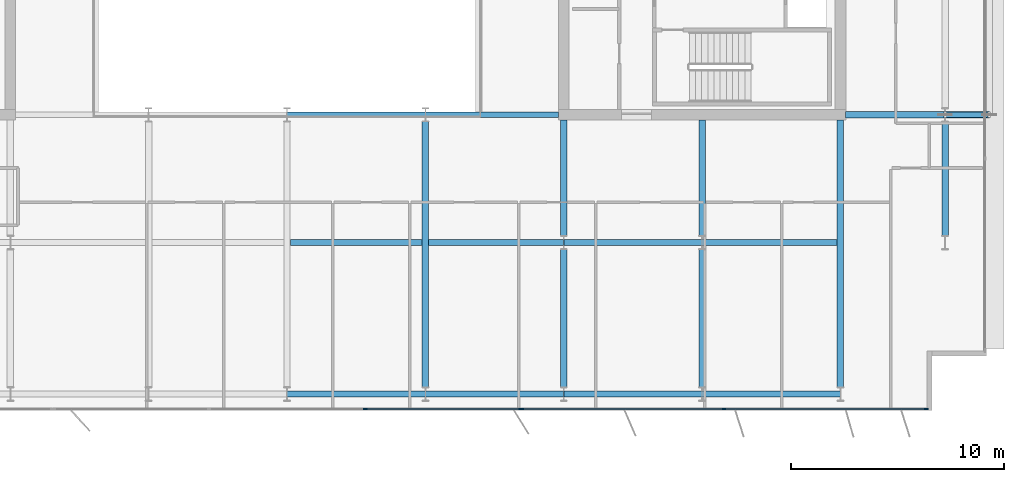
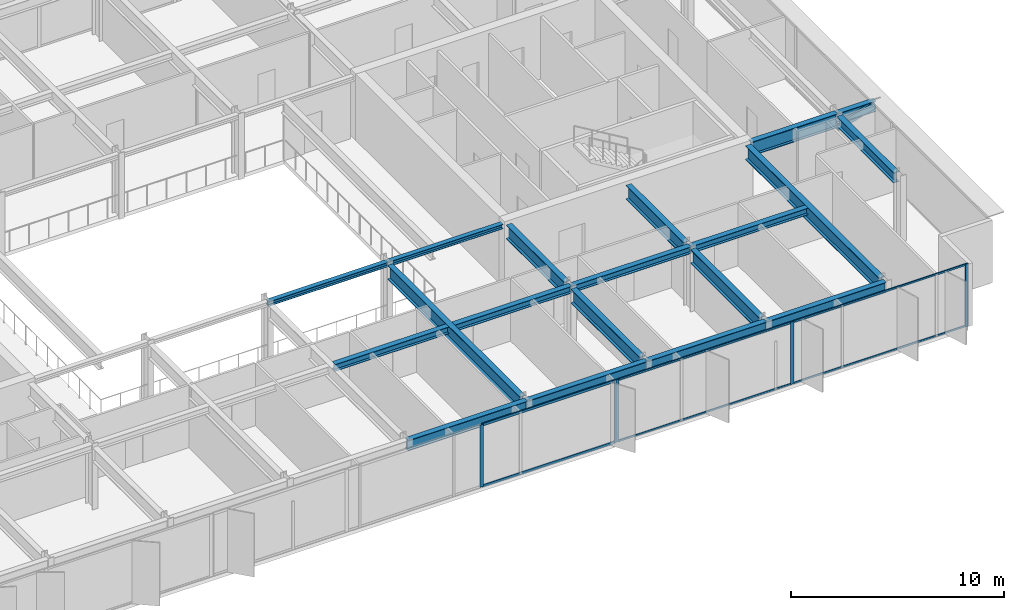
# One storey, part 6 of 20: 19 beams, 12 members, 2 elements without a shape of their own.
"""IFC4 building model written with IfcOpenShell, lengths in metres."""

from ifc_helpers import new_model, si_unit, direction, frame, origin, origin_2d, place, context, subcontext, project, spatial, rectangle, hollow_rectangle, i_section, extrude, material, layer, layer_set, material_profile, profile_set, type_object, element, aggregate, save


model = new_model("IFC4")

# Units and contexts
model_context = context("Model", 3, precision=1e-05, world=origin(), true_north=direction((0.0, 1.0)))
body_context = subcontext(model_context, "Body", "Model", "MODEL_VIEW")
ifc_project = project(units=[si_unit("LENGTHUNIT", "METRE"), si_unit("AREAUNIT", "SQUARE_METRE"), si_unit("VOLUMEUNIT", "CUBIC_METRE"), si_unit("PLANEANGLEUNIT", "RADIAN"), si_unit("MASSUNIT", "GRAM", prefix="KILO")], contexts=[model_context])

# Site, building, storey
site_placement = place(None, origin())
site = spatial("IfcSite", under=ifc_project, at=site_placement, CompositionType="ELEMENT")
building_placement = place(site_placement, origin())
building = spatial("IfcBuilding", under=site, at=building_placement, Name="Putna Gate Headquarters", CompositionType="ELEMENT")
storey_placement = place(building_placement, frame((0.0, 0.0, 274.60009765625)))
storey = spatial("IfcBuildingStorey", under=building, at=storey_placement, Name="L69", CompositionType="ELEMENT", Elevation=274.60009765625)

# Beams
ifc_material_1 = material(Name="Steel S355J2", Category="steel")
ifc_material_profile_1 = material_profile(ifc_material_1, i_section(OverallWidth=0.260009765625, OverallDepth=0.260009765625, WebThickness=0.010009765625, FlangeThickness=0.017578125, at=origin_2d()), Name="Steel S355J2")
ifc_profile_set_1 = profile_set([ifc_material_profile_1], Name="Steel S355J2")
beam_type_1 = type_object("IfcBeamType", Name="BM-ATRIUM-HEB260", PredefinedType="BEAM", material=ifc_profile_set_1)
beam_1_placement = place(storey_placement, frame((39.006103515625, 19.0, 3.4580078125), z_axis=(1.0, 0.0, 0.0), x_axis=(0.0, 1.0, 0.0)))
element("IfcBeam", 1, at=beam_1_placement, inside=storey, type_object=beam_type_1, Name="L69 Atrium Edge Beam AS3", PredefinedType="BEAM", context=body_context, shape_type="SweptSolid", body=[
    extrude(i_section(OverallWidth=0.260009765625, OverallDepth=0.260009765625, WebThickness=0.010009765625, FlangeThickness=0.017578125, at=origin_2d()), origin(), (0.0, 0.0, 1.0), 6.48779296875),
])
beam_2_placement = place(storey_placement, frame((45.506103515625, 19.0, 3.4580078125), z_axis=(1.0, 0.0, 0.0), x_axis=(0.0, 1.0, 0.0)))
element("IfcBeam", 2, at=beam_2_placement, inside=storey, type_object=beam_type_1, Name="L69 Atrium Edge Beam AS4", PredefinedType="BEAM", context=body_context, shape_type="SweptSolid", body=[
    extrude(i_section(OverallWidth=0.260009765625, OverallDepth=0.260009765625, WebThickness=0.010009765625, FlangeThickness=0.017578125, at=origin_2d()), origin(), (0.0, 0.0, 1.0), 6.2587890625),
])
ifc_material_profile_2 = material_profile(ifc_material_1, i_section(OverallWidth=0.300048828125, OverallDepth=0.800048828125, WebThickness=0.017578125, FlangeThickness=0.032958984375, at=origin_2d()), Name="Steel S355J2")
ifc_profile_set_2 = profile_set([ifc_material_profile_2], Name="Steel S355J2")
beam_type_2 = type_object("IfcBeamType", Name="BM-GIRD-P-HEB800", PredefinedType="USERDEFINED", material=ifc_profile_set_2)
beam_3_placement = place(storey_placement, frame((65.235107421875, 19.0, 3.18798828125), z_axis=(1.0, 0.0, 0.0), x_axis=(0.0, 1.0, 0.0)))
element("IfcBeam", 3, at=beam_3_placement, inside=storey, type_object=beam_type_2, Name="L69 East Wing Girder Y19", ObjectType="GIRDER", PredefinedType="USERDEFINED", context=body_context, shape_type="SweptSolid", body=[
    extrude(i_section(OverallWidth=0.300048828125, OverallDepth=0.800048828125, WebThickness=0.017578125, FlangeThickness=0.032958984375, at=origin_2d()), origin(), (0.0, 0.0, 1.0), 4.678955078125),
])
beam_4_placement = place(storey_placement, frame((45.5, 6.201904296875, 3.18798828125), z_axis=(0.0, 1.0, 0.0), x_axis=(-1.0, 0.0, 0.0)))
element("IfcBeam", 4, at=beam_4_placement, inside=storey, type_object=beam_type_2, Name="L69 South Primary Girder X45", ObjectType="GIRDER", PredefinedType="USERDEFINED", context=body_context, shape_type="SweptSolid", body=[
    extrude(i_section(OverallWidth=0.300048828125, OverallDepth=0.800048828125, WebThickness=0.017578125, FlangeThickness=0.032958984375, at=origin_2d()), origin(), (0.0, 0.0, 1.0), 12.47607421875),
])
beam_5_placement = place(storey_placement, frame((52.0, 6.201904296875, 3.18798828125), z_axis=(0.0, 1.0, 0.0), x_axis=(-1.0, 0.0, 0.0)))
element("IfcBeam", 5, at=beam_5_placement, inside=storey, type_object=beam_type_2, Name="L69 South Primary Girder X52-1", ObjectType="GIRDER", PredefinedType="USERDEFINED", context=body_context, shape_type="SweptSolid", body=[
    extrude(i_section(OverallWidth=0.300048828125, OverallDepth=0.800048828125, WebThickness=0.017578125, FlangeThickness=0.032958984375, at=origin_2d()), origin(), (0.0, 0.0, 1.0), 6.47607421875),
])
beam_6_placement = place(storey_placement, frame((52.0, 13.322021484375, 3.18798828125), z_axis=(0.0, 1.0, 0.0), x_axis=(-1.0, 0.0, 0.0)))
element("IfcBeam", 6, at=beam_6_placement, inside=storey, type_object=beam_type_2, Name="L69 South Primary Girder X52-2", ObjectType="GIRDER", PredefinedType="USERDEFINED", context=body_context, shape_type="SweptSolid", body=[
    extrude(i_section(OverallWidth=0.300048828125, OverallDepth=0.800048828125, WebThickness=0.017578125, FlangeThickness=0.032958984375, at=origin_2d()), origin(), (0.0, 0.0, 1.0), 5.44287109375),
])
beam_7_placement = place(storey_placement, frame((58.5, 6.201904296875, 3.18798828125), z_axis=(0.0, 1.0, 0.0), x_axis=(-1.0, 0.0, 0.0)))
element("IfcBeam", 7, at=beam_7_placement, inside=storey, type_object=beam_type_2, Name="L69 South Primary Girder X58-1", ObjectType="GIRDER", PredefinedType="USERDEFINED", context=body_context, shape_type="SweptSolid", body=[
    extrude(i_section(OverallWidth=0.300048828125, OverallDepth=0.800048828125, WebThickness=0.017578125, FlangeThickness=0.032958984375, at=origin_2d()), origin(), (0.0, 0.0, 1.0), 6.47607421875),
])
beam_8_placement = place(storey_placement, frame((58.5, 13.322021484375, 3.18798828125), z_axis=(0.0, 1.0, 0.0), x_axis=(-1.0, 0.0, 0.0)))
element("IfcBeam", 8, at=beam_8_placement, inside=storey, type_object=beam_type_2, Name="L69 South Primary Girder X58-2", ObjectType="GIRDER", PredefinedType="USERDEFINED", context=body_context, shape_type="SweptSolid", body=[
    extrude(i_section(OverallWidth=0.300048828125, OverallDepth=0.800048828125, WebThickness=0.017578125, FlangeThickness=0.032958984375, at=origin_2d()), origin(), (0.0, 0.0, 1.0), 5.44287109375),
])
beam_9_placement = place(storey_placement, frame((65.0, 6.201904296875, 3.18798828125), z_axis=(0.0, 1.0, 0.0), x_axis=(-1.0, 0.0, 0.0)))
element("IfcBeam", 9, at=beam_9_placement, inside=storey, type_object=beam_type_2, Name="L69 South Primary Girder X65", ObjectType="GIRDER", PredefinedType="USERDEFINED", context=body_context, shape_type="SweptSolid", body=[
    extrude(i_section(OverallWidth=0.300048828125, OverallDepth=0.800048828125, WebThickness=0.017578125, FlangeThickness=0.032958984375, at=origin_2d()), origin(), (0.0, 0.0, 1.0), 12.56298828125),
])
ifc_material_profile_3 = material_profile(ifc_material_1, i_section(OverallWidth=0.300048828125, OverallDepth=0.60009765625, WebThickness=0.015380859375, FlangeThickness=0.030029296875, at=origin_2d()), Name="Steel S355J2")
ifc_profile_set_3 = profile_set([ifc_material_profile_3], Name="Steel S355J2")
beam_type_3 = type_object("IfcBeamType", Name="BM-GIRD-SAIL-HEB600", PredefinedType="USERDEFINED", material=ifc_profile_set_3)
beam_10_placement = place(storey_placement, frame((69.926025390625, 19.0, 3.287841796875), z_axis=(1.0, 0.0, 0.0), x_axis=(0.0, 1.0, 0.0)))
element("IfcBeam", 10, at=beam_10_placement, inside=storey, type_object=beam_type_3, Name="L69 East Sail Outrigger Bracket Y19", ObjectType="GIRDER", PredefinedType="USERDEFINED", context=body_context, shape_type="SweptSolid", body=[
    extrude(i_section(OverallWidth=0.300048828125, OverallDepth=0.60009765625, WebThickness=0.015380859375, FlangeThickness=0.030029296875, at=origin_2d()), origin(), (0.0, 0.0, 1.0), 2.0751953125),
])
ifc_material_profile_4 = material_profile(ifc_material_1, i_section(OverallWidth=0.300048828125, OverallDepth=0.389892578125, WebThickness=0.010986328125, FlangeThickness=0.01904296875, at=origin_2d()), Name="Steel S355J2")
ifc_profile_set_4 = profile_set([ifc_material_profile_4], Name="Steel S355J2")
beam_type_4 = type_object("IfcBeamType", Name="BM-SEC-Z5-HEA400", PredefinedType="BEAM", material=ifc_profile_set_4)
beam_11_placement = place(storey_placement, frame((39.154052734375, 13.0, 3.392822265625), z_axis=(1.0, 0.0, 0.0), x_axis=(0.0, 1.0, 0.0)))
element("IfcBeam", 11, at=beam_11_placement, inside=storey, type_object=beam_type_4, Name="L69 South Secondary Beam 5", PredefinedType="BEAM", context=body_context, shape_type="SweptSolid", body=[
    extrude(i_section(OverallWidth=0.300048828125, OverallDepth=0.389892578125, WebThickness=0.010986328125, FlangeThickness=0.01904296875, at=origin_2d()), origin(), (0.0, 0.0, 1.0), 6.19189453125),
])
beam_12_placement = place(storey_placement, frame((45.654052734375, 13.0, 3.392822265625), z_axis=(1.0, 0.0, 0.0), x_axis=(0.0, 1.0, 0.0)))
element("IfcBeam", 12, at=beam_12_placement, inside=storey, type_object=beam_type_4, Name="L69 South Secondary Beam 6", PredefinedType="BEAM", context=body_context, shape_type="SweptSolid", body=[
    extrude(i_section(OverallWidth=0.300048828125, OverallDepth=0.389892578125, WebThickness=0.010986328125, FlangeThickness=0.01904296875, at=origin_2d()), origin(), (0.0, 0.0, 1.0), 6.33984375),
])
beam_13_placement = place(storey_placement, frame((52.006103515625, 13.0, 3.392822265625), z_axis=(1.0, 0.0, 0.0), x_axis=(0.0, 1.0, 0.0)))
element("IfcBeam", 13, at=beam_13_placement, inside=storey, type_object=beam_type_4, Name="L69 South Secondary Beam 7", PredefinedType="BEAM", context=body_context, shape_type="SweptSolid", body=[
    extrude(i_section(OverallWidth=0.300048828125, OverallDepth=0.389892578125, WebThickness=0.010986328125, FlangeThickness=0.01904296875, at=origin_2d()), origin(), (0.0, 0.0, 1.0), 6.48779296875),
])
beam_14_placement = place(storey_placement, frame((58.506103515625, 13.0, 3.392822265625), z_axis=(1.0, 0.0, 0.0), x_axis=(0.0, 1.0, 0.0)))
element("IfcBeam", 14, at=beam_14_placement, inside=storey, type_object=beam_type_4, Name="L69 South Secondary Beam 8", PredefinedType="BEAM", context=body_context, shape_type="SweptSolid", body=[
    extrude(i_section(OverallWidth=0.300048828125, OverallDepth=0.389892578125, WebThickness=0.010986328125, FlangeThickness=0.01904296875, at=origin_2d()), origin(), (0.0, 0.0, 1.0), 6.33984375),
])
ifc_material_profile_5 = material_profile(ifc_material_1, i_section(OverallWidth=0.300048828125, OverallDepth=0.590087890625, WebThickness=0.012939453125, FlangeThickness=0.02490234375, at=origin_2d()), Name="Steel S355J2")
ifc_profile_set_5 = profile_set([ifc_material_profile_5], Name="Steel S355J2")
beam_type_5 = type_object("IfcBeamType", Name="BM-SPAN-Z4-HEA600", PredefinedType="SPANDREL", material=ifc_profile_set_5)
for number, where, z_axis, x_axis, name in (
    (15, (39.006103515625, 5.8798828125, 3.29296875), (1.0, 0.0, 0.0), (0.0, 1.0, 0.0), "L69 S Perimeter Spandrel 5"),
    (16, (45.506103515625, 5.8798828125, 3.29296875), (1.0, 0.0, 0.0), (0.0, 1.0, 0.0), "L69 S Perimeter Spandrel 6"),
    (17, (52.006103515625, 5.8798828125, 3.29296875), (1.0, 0.0, 0.0), (0.0, 1.0, 0.0), "L69 S Perimeter Spandrel 7"),
    (18, (58.506103515625, 5.8798828125, 3.29296875), (1.0, 0.0, 0.0), (0.0, 1.0, 0.0), "L69 S Perimeter Spandrel 8"),
):
    element("IfcBeam", number, at=place(storey_placement, frame(where, z_axis=z_axis, x_axis=x_axis)), inside=storey, type_object=beam_type_5, Name=name, PredefinedType="SPANDREL", context=body_context, shape_type="SweptSolid", body=[
        extrude(i_section(OverallWidth=0.300048828125, OverallDepth=0.590087890625, WebThickness=0.012939453125, FlangeThickness=0.02490234375, at=origin_2d()), origin(), (0.0, 0.0, 1.0), 6.48779296875),
    ])
beam_15_placement = place(storey_placement, frame((69.919921875, 13.322021484375, 3.29296875), z_axis=(0.0, 1.0, 0.0), x_axis=(-1.0, 0.0, 0.0)))
element("IfcBeam", 19, at=beam_15_placement, inside=storey, type_object=beam_type_5, Name="L69 E End Spandrel 1", PredefinedType="SPANDREL", context=body_context, shape_type="SweptSolid", body=[
    extrude(i_section(OverallWidth=0.300048828125, OverallDepth=0.590087890625, WebThickness=0.012939453125, FlangeThickness=0.02490234375, at=origin_2d()), origin(), (0.0, 0.0, 1.0), 5.35595703125),
])

# Member
ifc_material_2 = material(Name="Steel S460M", Category="steel")
ifc_material_profile_6 = material_profile(ifc_material_2, hollow_rectangle(XDim=0.25, YDim=0.39990234375, WallThickness=0.01611328125, at=origin_2d()), Name="Steel S460M")
ifc_profile_set_6 = profile_set([ifc_material_profile_6], Name="Steel S460M")
member_type_1 = type_object("IfcMemberType", Name="MEM-SAIL-BRACE-RHS400", PredefinedType="BRACE", material=ifc_profile_set_6)
member_1_placement = place(storey_placement, frame((69.93408203125, 19.0, 2.755615234375), z_axis=(0.958427782893, 0.0, 0.285335215106), x_axis=(0.0, 1.0, 0.0)))
element("IfcMember", 20, at=member_1_placement, inside=storey, type_object=member_type_1, Name="L69 East Sail Cantilever Raker Y19", PredefinedType="BRACE", context=body_context, shape_type="SweptSolid", body=[
    extrude(hollow_rectangle(XDim=0.25, YDim=0.39990234375, WallThickness=0.01611328125, at=origin_2d()), origin(), (0.0, 0.0, 1.0), 2.126220703125),
])

# Curtain wall, members
ifc_material_3 = material(Name="Anodised bronze aluminium curtain wall", Category="aluminium")
ifc_layer_1 = layer(ifc_material_3, 0.179931640625)
ifc_layer_set_1 = layer_set([ifc_layer_1], Name="Anodised bronze aluminium curtain wall")
curtain_wall_type_1 = type_object("IfcCurtainWallType", Name="CW-SYS-Z5", PredefinedType="USERDEFINED", material=ifc_layer_set_1)
curtain_wall_1_placement = place(storey_placement, origin())
curtain_wall_1 = element("IfcCurtainWall", 21, at=curtain_wall_1_placement, inside=storey, type_object=curtain_wall_type_1, Name="L69 South East Curtain Wall", ObjectType="STICK CURTAIN WALL", PredefinedType="USERDEFINED")
ifc_material_4 = material(Name="Anodised bronze aluminium EN AW-6060", Category="aluminium")
ifc_material_profile_7 = material_profile(ifc_material_4, rectangle(XDim=0.070068359375, YDim=0.179931640625, at=origin_2d()), Name="Anodised bronze aluminium EN AW-6060")
ifc_profile_set_7 = profile_set([ifc_material_profile_7], Name="Anodised bronze aluminium EN AW-6060")
member_type_2 = type_object("IfcMemberType", Name="MULL-CWM-5", PredefinedType="MULLION", material=ifc_profile_set_7)
member_2_placement = place(storey_placement, frame((50.034912109375, 5.179931640625, 0.0), z_axis=(0.0, 0.0, 1.0), x_axis=(0.0, 1.0, 0.0)))
member_2 = element("IfcMember", 22, at=member_2_placement, type_object=member_type_2, Name="CWS-5 mullion 1", PredefinedType="MULLION", context=body_context, shape_type="SweptSolid", body=[
    extrude(rectangle(XDim=0.070068359375, YDim=0.179931640625, at=origin_2d()), origin(), (0.0, 0.0, 1.0), 3.587890625),
])
member_3_placement = place(storey_placement, frame((59.532470703125, 5.179931640625, 0.0), z_axis=(0.0, 0.0, 1.0), x_axis=(0.0, 1.0, 0.0)))
member_3 = element("IfcMember", 23, at=member_3_placement, type_object=member_type_2, Name="CWS-5 mullion 2", PredefinedType="MULLION", context=body_context, shape_type="SweptSolid", body=[
    extrude(rectangle(XDim=0.070068359375, YDim=0.179931640625, at=origin_2d()), origin(), (0.0, 0.0, 1.0), 3.587890625),
])
member_4_placement = place(storey_placement, frame((69.02978515625, 5.179931640625, 0.0), z_axis=(0.0, 0.0, 1.0), x_axis=(0.0, 1.0, 0.0)))
member_4 = element("IfcMember", 24, at=member_4_placement, type_object=member_type_2, Name="CWS-5 mullion 3", PredefinedType="MULLION", context=body_context, shape_type="SweptSolid", body=[
    extrude(rectangle(XDim=0.070068359375, YDim=0.179931640625, at=origin_2d()), origin(), (0.0, 0.0, 1.0), 3.587890625),
])

ifc_layer_2 = layer(ifc_material_3, 0.179931640625)
ifc_layer_set_2 = layer_set([ifc_layer_2], Name="Anodised bronze aluminium curtain wall")
curtain_wall_type_2 = type_object("IfcCurtainWallType", Name="CW-SYS-ATR", PredefinedType="USERDEFINED", material=ifc_layer_set_2)
curtain_wall_2_placement = place(storey_placement, origin())
curtain_wall_2 = element("IfcCurtainWall", 25, at=curtain_wall_2_placement, inside=storey, type_object=curtain_wall_type_2, Name="L69 South Atrium Clear Glazing", ObjectType="ATRIUM GLAZING", PredefinedType="USERDEFINED")
ifc_material_profile_8 = material_profile(ifc_material_4, rectangle(XDim=0.070068359375, YDim=0.179931640625, at=origin_2d()), Name="Anodised bronze aluminium EN AW-6060")
ifc_profile_set_8 = profile_set([ifc_material_profile_8], Name="Anodised bronze aluminium EN AW-6060")
member_type_3 = type_object("IfcMemberType", Name="MULL-CWM-AT", PredefinedType="MULLION", material=ifc_profile_set_8)
member_5_placement = place(storey_placement, frame((42.666748046875, 5.179931640625, 0.0), z_axis=(0.0, 0.0, 1.0), x_axis=(0.0, 1.0, 0.0)))
member_5 = element("IfcMember", 26, at=member_5_placement, type_object=member_type_3, Name="CWS-AT mullion 3", PredefinedType="MULLION", context=body_context, shape_type="SweptSolid", body=[
    extrude(rectangle(XDim=0.070068359375, YDim=0.179931640625, at=origin_2d()), origin(), (0.0, 0.0, 1.0), 3.587890625),
])
member_6_placement = place(storey_placement, frame((49.965087890625, 5.179931640625, 0.0), z_axis=(0.0, 0.0, 1.0), x_axis=(0.0, 1.0, 0.0)))
member_6 = element("IfcMember", 27, at=member_6_placement, type_object=member_type_3, Name="CWS-AT mullion 4", PredefinedType="MULLION", context=body_context, shape_type="SweptSolid", body=[
    extrude(rectangle(XDim=0.070068359375, YDim=0.179931640625, at=origin_2d()), origin(), (0.0, 0.0, 1.0), 3.587890625),
])

# Member
ifc_material_profile_9 = material_profile(ifc_material_4, rectangle(XDim=0.06005859375, YDim=0.10009765625, at=origin_2d()), Name="Anodised bronze aluminium EN AW-6060")
ifc_profile_set_9 = profile_set([ifc_material_profile_9], Name="Anodised bronze aluminium EN AW-6060")
member_type_4 = type_object("IfcMemberType", Name="TRAN-CWT-5", PredefinedType="USERDEFINED", material=ifc_profile_set_9)
member_7_placement = place(storey_placement, frame((50.070068359375, 5.179931640625, 0.02978515625), z_axis=(1.0, 0.0, 0.0), x_axis=(0.0, 1.0, 0.0)))
member_7 = element("IfcMember", 28, at=member_7_placement, type_object=member_type_4, Name="CWS-5 transom 1.1", ObjectType="TRANSOM", PredefinedType="USERDEFINED", context=body_context, shape_type="SweptSolid", body=[
    extrude(rectangle(XDim=0.06005859375, YDim=0.10009765625, at=origin_2d()), origin(), (0.0, 0.0, 1.0), 9.427490234375),
])

member_8_placement = place(storey_placement, frame((50.070068359375, 5.179931640625, 3.557861328125), z_axis=(1.0, 0.0, 0.0), x_axis=(0.0, 1.0, 0.0)))
member_8 = element("IfcMember", 29, at=member_8_placement, type_object=member_type_4, Name="CWS-5 transom 1.2", ObjectType="TRANSOM", PredefinedType="USERDEFINED", context=body_context, shape_type="SweptSolid", body=[
    extrude(rectangle(XDim=0.06005859375, YDim=0.10009765625, at=origin_2d()), origin(), (0.0, 0.0, 1.0), 9.427490234375),
])

member_9_placement = place(storey_placement, frame((59.5673828125, 5.179931640625, 0.02978515625), z_axis=(1.0, 0.0, 0.0), x_axis=(0.0, 1.0, 0.0)))
member_9 = element("IfcMember", 30, at=member_9_placement, type_object=member_type_4, Name="CWS-5 transom 2.1", ObjectType="TRANSOM", PredefinedType="USERDEFINED", context=body_context, shape_type="SweptSolid", body=[
    extrude(rectangle(XDim=0.06005859375, YDim=0.10009765625, at=origin_2d()), origin(), (0.0, 0.0, 1.0), 9.427490234375),
])

member_10_placement = place(storey_placement, frame((59.5673828125, 5.179931640625, 3.557861328125), z_axis=(1.0, 0.0, 0.0), x_axis=(0.0, 1.0, 0.0)))
member_10 = element("IfcMember", 31, at=member_10_placement, type_object=member_type_4, Name="CWS-5 transom 2.2", ObjectType="TRANSOM", PredefinedType="USERDEFINED", context=body_context, shape_type="SweptSolid", body=[
    extrude(rectangle(XDim=0.06005859375, YDim=0.10009765625, at=origin_2d()), origin(), (0.0, 0.0, 1.0), 9.427490234375),
])

aggregate(curtain_wall_1, [member_2, member_3, member_4, member_7, member_8, member_9, member_10])

ifc_material_profile_10 = material_profile(ifc_material_4, rectangle(XDim=0.070068359375, YDim=0.139892578125, at=origin_2d()), Name="Anodised bronze aluminium EN AW-6060")
ifc_profile_set_10 = profile_set([ifc_material_profile_10], Name="Anodised bronze aluminium EN AW-6060")
member_type_5 = type_object("IfcMemberType", Name="TRAN-CWT-AT", PredefinedType="USERDEFINED", material=ifc_profile_set_10)
member_11_placement = place(storey_placement, frame((42.70166015625, 5.179931640625, 0.034912109375), z_axis=(1.0, 0.0, 0.0), x_axis=(0.0, 1.0, 0.0)))
member_11 = element("IfcMember", 32, at=member_11_placement, type_object=member_type_5, Name="CWS-AT transom 3.1", ObjectType="TRANSOM", PredefinedType="USERDEFINED", context=body_context, shape_type="SweptSolid", body=[
    extrude(rectangle(XDim=0.070068359375, YDim=0.139892578125, at=origin_2d()), origin(), (0.0, 0.0, 1.0), 7.228271484375),
])

member_12_placement = place(storey_placement, frame((42.70166015625, 5.179931640625, 3.552978515625), z_axis=(1.0, 0.0, 0.0), x_axis=(0.0, 1.0, 0.0)))
member_12 = element("IfcMember", 33, at=member_12_placement, type_object=member_type_5, Name="CWS-AT transom 3.2", ObjectType="TRANSOM", PredefinedType="USERDEFINED", context=body_context, shape_type="SweptSolid", body=[
    extrude(rectangle(XDim=0.070068359375, YDim=0.139892578125, at=origin_2d()), origin(), (0.0, 0.0, 1.0), 7.228271484375),
])

aggregate(curtain_wall_2, [member_5, member_6, member_11, member_12])

save(model, "model.ifc")
